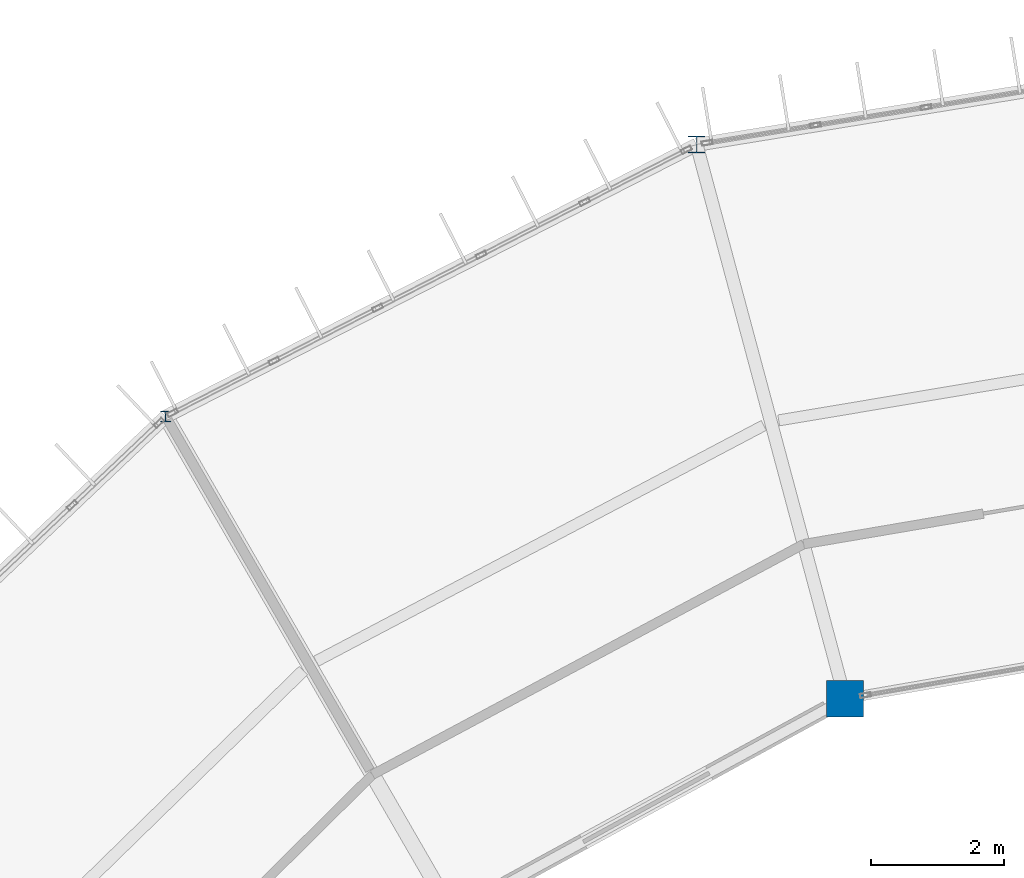
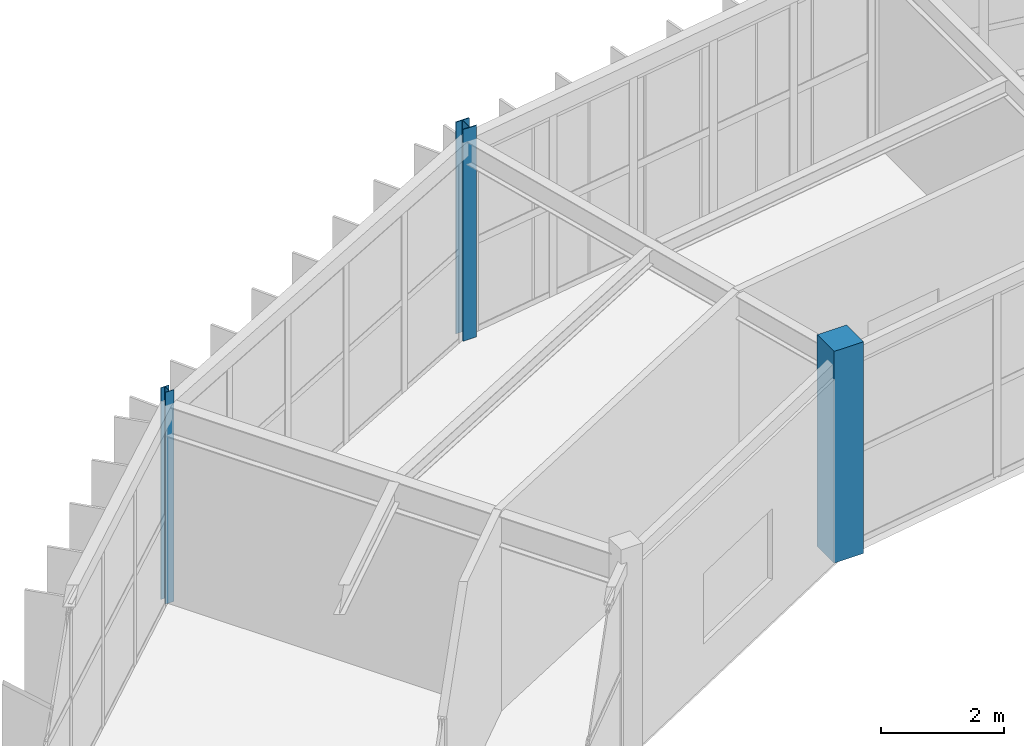
# One storey, part 12 of 134: 3 columns.
"""IFC4 building model written with IfcOpenShell, lengths in metres."""

import ifcopenshell
import ifcopenshell.guid

model = None  # the IFC model being written
_history = None  # IfcOwnerHistory: only IFC2X3 demands one
_inside = {}  # id of a spatial element -> (the spatial element, [elements in it])
_under = {}  # id of a project, library or spatial element -> (it, [spatial elements below it])
_declared = {}  # id of a project -> (the project, [libraries it declares])
_typed = {}  # id of a type object -> (the type object, [elements of that type])
_made_of = {}  # id of a material, layer set ... -> (it, [elements and type objects made of it])


def new_model(schema):
    """Start an empty IFC model of exactly this schema.

    Asked for "IFC4X3", IfcOpenShell would pick the latest addendum, in which some entities
    have other attributes; the version numbers below select the first issue.
    IFC2X3 requires an IfcOwnerHistory on every rooted entity: one is made here for all.
    """
    global model, _history
    if schema == "IFC4X3":
        model = ifcopenshell.file(schema_version=(4, 3, 0, 0))
    else:
        model = ifcopenshell.file(schema=schema)
    _inside.clear()
    _under.clear()
    _declared.clear()
    _typed.clear()
    _made_of.clear()
    _history = None
    if model.schema == "IFC2X3":
        org = make("IfcOrganization", Name="unknown")
        user = make(
            "IfcPersonAndOrganization",
            ThePerson=make("IfcPerson", FamilyName="unknown"),
            TheOrganization=org,
        )
        app = make(
            "IfcApplication",
            ApplicationDeveloper=org,
            Version="unknown",
            ApplicationFullName="unknown",
            ApplicationIdentifier="unknown",
        )
        _history = make(
            "IfcOwnerHistory",
            OwningUser=user,
            OwningApplication=app,
            ChangeAction="ADDED",
            CreationDate=0,
        )
    return model


def make(cls, **values):
    """One entity of the class cls with the attributes given. An attribute that is None is left unset."""
    return model.create_entity(
        cls, **{name: value for name, value in values.items() if value is not None}
    )


def rooted(cls, **values):
    """An entity with a GlobalId (a new one), such as an element, a storey or a relation."""
    return make(cls, GlobalId=ifcopenshell.guid.new(), OwnerHistory=_history, **values)


def si_unit(unit_type, name, prefix=None):
    """IfcSIUnit, for example si_unit("LENGTHUNIT", "METRE", prefix="MILLI")."""
    return make("IfcSIUnit", UnitType=unit_type, Prefix=prefix, Name=name)


def assignment(units):
    """IfcUnitAssignment: the units of a project."""
    return None if units is None else make("IfcUnitAssignment", Units=units)


def point(xyz):
    """IfcCartesianPoint."""
    return None if xyz is None else make("IfcCartesianPoint", Coordinates=xyz)


def direction(xyz):
    """IfcDirection."""
    return None if xyz is None else make("IfcDirection", DirectionRatios=xyz)


def frame(location, z_axis=None, x_axis=None):
    """IfcAxis2Placement3D, a coordinate frame: its origin and axes. An axis left out is left unset."""
    return make(
        "IfcAxis2Placement3D",
        Location=point(location),
        Axis=direction(z_axis),
        RefDirection=direction(x_axis),
    )


def frame_2d(location, x_axis=None):
    """IfcAxis2Placement2D, a coordinate frame in the plane: its origin and x axis."""
    return make(
        "IfcAxis2Placement2D", Location=point(location), RefDirection=direction(x_axis)
    )


def origin():
    """The frame at (0, 0, 0) with its axes left unset."""
    return frame((0.0, 0.0, 0.0))


def origin_2d():
    """The frame at (0, 0) in the plane with its x axis left unset."""
    return frame_2d((0.0, 0.0))


def place(relative_to, where):
    """IfcLocalPlacement: puts the frame where relative to a parent placement (None: the world)."""
    return make(
        "IfcLocalPlacement", PlacementRelTo=relative_to, RelativePlacement=where
    )


def context(
    kind, dimensions, precision=None, world=None, true_north=None, identifier=None
):
    """IfcGeometricRepresentationContext, for example the 3D "Model" context."""
    return make(
        "IfcGeometricRepresentationContext",
        ContextIdentifier=identifier,
        ContextType=kind,
        CoordinateSpaceDimension=dimensions,
        Precision=precision,
        WorldCoordinateSystem=world,
        TrueNorth=true_north,
    )


def subcontext(parent, identifier, kind, view, scale=None):
    """IfcGeometricRepresentationSubContext, for example "Body" below "Model"."""
    return make(
        "IfcGeometricRepresentationSubContext",
        ContextIdentifier=identifier,
        ContextType=kind,
        ParentContext=parent,
        TargetScale=scale,
        TargetView=view,
    )


def project(units=None, contexts=None):
    """IfcProject with its units and contexts."""
    return rooted(
        "IfcProject",
        Name="project",
        RepresentationContexts=contexts,
        UnitsInContext=assignment(units),
    )


def spatial(cls, under=None, at=None, **own):
    """A site, building, storey or space (cls), placed at a placement, below another one or the project."""
    s = rooted(cls, ObjectPlacement=at, **own)
    if under is not None:
        _under.setdefault(under.id(), (under, []))[1].append(s)
    return s


def profile(cls, at=None, kind="AREA", **sizes):
    """A parametric profile (cls). Its sizes go by their IFC names, for example OverallWidth=200.0."""
    return make(cls, ProfileType=kind, Position=at, **sizes)


def rectangle(**sizes):
    """IfcRectangleProfileDef."""
    return profile("IfcRectangleProfileDef", **sizes)


def i_section(**sizes):
    """IfcIShapeProfileDef."""
    return profile("IfcIShapeProfileDef", **sizes)


def extrude(swept, where, along, depth):
    """IfcExtrudedAreaSolid: the profile swept, set in the frame where, extruded along a direction by depth."""
    return make(
        "IfcExtrudedAreaSolid",
        SweptArea=swept,
        Position=where,
        ExtrudedDirection=direction(along),
        Depth=depth,
    )


def shape(context_of_items, identifier, shape_type, items):
    """IfcShapeRepresentation: the items that make up one representation, for example the "Body"."""
    return make(
        "IfcShapeRepresentation",
        ContextOfItems=context_of_items,
        RepresentationIdentifier=identifier,
        RepresentationType=shape_type,
        Items=items,
    )


def material(Name=None, Category=None):
    """IfcMaterial."""
    return make("IfcMaterial", Name=Name, Category=Category)


def material_profile(
    of_material, cross_section, Name=None, Category=None, Priority=None
):
    """IfcMaterialProfile: a cross section and its material."""
    return make(
        "IfcMaterialProfile",
        Name=Name,
        Material=of_material,
        Profile=cross_section,
        Priority=Priority,
        Category=Category,
    )


def profile_set(profiles, Name=None, composite=None):
    """IfcMaterialProfileSet."""
    return make(
        "IfcMaterialProfileSet",
        Name=Name,
        MaterialProfiles=profiles,
        CompositeProfile=composite,
    )


def made_of(thing, what):
    """Note that an element or type object is made of a material, layer set ...; save() writes the relation."""
    if what is not None:
        _made_of.setdefault(what.id(), (what, []))[1].append(thing)
    return thing


def type_object(cls, material=None, **own):
    """A type object (cls), such as IfcWallType, which elements share."""
    return made_of(rooted(cls, **own), material)


def element(
    cls,
    number,
    at=None,
    inside=None,
    cuts=None,
    type_object=None,
    material=None,
    context=None,
    identifier="Body",
    shape_type=None,
    held_by="IfcProductDefinitionShape",
    body=None,
    shapes=None,
    **own,
):
    """One element of the class cls, such as IfcWall. Its Tag is "e" and its number.

    at: its placement. inside: the storey or other place that contains it. cuts: it is an
    opening in that element (IfcRelVoidsElement). A single representation is given by context,
    identifier, shape_type and body (its items); several are given by shapes. held_by: the class
    of the entity that holds the representations. save() writes the other relations.
    """
    e = rooted(cls, Tag="e%d" % number, ObjectPlacement=at, **own)
    if body is not None:
        shapes = [shape(context, identifier, shape_type, body)]
    if shapes is not None:
        e.Representation = make(held_by, Representations=shapes)
    if inside is not None:
        _inside.setdefault(inside.id(), (inside, []))[1].append(e)
    if cuts is not None:
        rooted(
            "IfcRelVoidsElement", RelatingBuildingElement=cuts, RelatedOpeningElement=e
        )
    if type_object is not None:
        _typed.setdefault(type_object.id(), (type_object, []))[1].append(e)
    return made_of(e, material)


def aggregate(whole, parts):
    """IfcRelAggregates: a whole, such as a stair, and the parts it consists of."""
    return rooted("IfcRelAggregates", RelatingObject=whole, RelatedObjects=parts)


def save(model, path):
    """Write the relations noted so far, then the file.

    IfcRelAggregates (storeys below a building ...), IfcRelContainedInSpatialStructure (elements
    in a storey), IfcRelDefinesByType, IfcRelAssociatesMaterial and IfcRelDeclares: one each for
    every whole, place, type object, material and project.
    """
    for whole, parts in _under.values():
        aggregate(whole, parts)
    for where, things in _inside.values():
        rooted(
            "IfcRelContainedInSpatialStructure",
            RelatedElements=things,
            RelatingStructure=where,
        )
    for kind, things in _typed.values():
        rooted("IfcRelDefinesByType", RelatedObjects=things, RelatingType=kind)
    for what, things in _made_of.values():
        rooted("IfcRelAssociatesMaterial", RelatedObjects=things, RelatingMaterial=what)
    for by, libraries in _declared.values():
        rooted("IfcRelDeclares", RelatingContext=by, RelatedDefinitions=libraries)
    model.write(path)


model = new_model("IFC4")

# Units and contexts
model_context = context("Model", 3, precision=1e-05, world=origin(), true_north=direction((0.0, 1.0)))
body_context = subcontext(model_context, "Body", "Model", "MODEL_VIEW")
ifc_project = project(units=[si_unit("LENGTHUNIT", "METRE"), si_unit("AREAUNIT", "SQUARE_METRE"), si_unit("VOLUMEUNIT", "CUBIC_METRE"), si_unit("PLANEANGLEUNIT", "RADIAN"), si_unit("MASSUNIT", "GRAM", prefix="KILO")], contexts=[model_context])

# Site, building, storey
site_placement = place(None, origin())
site = spatial("IfcSite", under=ifc_project, at=site_placement, CompositionType="ELEMENT")
building_placement = place(site_placement, origin())
building = spatial("IfcBuilding", under=site, at=building_placement, Name="Karori Crest Natural Sciences Institute", CompositionType="ELEMENT")
storey_placement = place(building_placement, frame((0.0, 0.0, 21.699951171875)))
storey = spatial("IfcBuildingStorey", under=building, at=storey_placement, Name="L05", CompositionType="ELEMENT", Elevation=21.699951171875)

# Columns
ifc_material_1 = material(Name="Structural steel AS/NZS 3679.1 Grade 350", Category="steel")
ifc_material_profile_1 = material_profile(ifc_material_1, i_section(OverallWidth=0.25390625, OverallDepth=0.25390625, WebThickness=0.008544921875, FlangeThickness=0.01416015625, FilletRadius=0.013916015625, at=origin_2d()), Name="250UC72.9")
ifc_profile_set_1 = profile_set([ifc_material_profile_1], Name="Structural steel AS/NZS 3679.1 Grade 350")
column_type_1 = type_object("IfcColumnType", Name="CT-07", PredefinedType="COLUMN", material=ifc_profile_set_1)
column_1_placement = place(storey_placement, frame((57.85888671875, 89.309814453125, 0.0), z_axis=(0.0, 0.0, 1.0), x_axis=(1.0, 0.0, 0.0)))
element("IfcColumn", 1, at=column_1_placement, inside=storey, type_object=column_type_1, Name="Column C-0137", PredefinedType="COLUMN", context=body_context, shape_type="SweptSolid", body=[
    extrude(i_section(OverallWidth=0.25390625, OverallDepth=0.25390625, WebThickness=0.008544921875, FlangeThickness=0.01416015625, FilletRadius=0.013916015625, at=origin_2d()), origin(), (0.0, 0.0, 1.0), 4.199951171875),
])
ifc_material_profile_2 = material_profile(ifc_material_1, i_section(OverallWidth=0.154052734375, OverallDepth=0.162109375, WebThickness=0.008056640625, FlangeThickness=0.011474609375, FilletRadius=0.009033203125, at=origin_2d()), Name="150UC37.2")
ifc_profile_set_2 = profile_set([ifc_material_profile_2], Name="Structural steel AS/NZS 3679.1 Grade 350")
column_type_2 = type_object("IfcColumnType", Name="CT-26", PredefinedType="COLUMN", material=ifc_profile_set_2)
column_2_placement = place(storey_placement, frame((49.89990234375, 85.23388671875, 0.0), z_axis=(0.0, 0.0, 1.0), x_axis=(1.0, 0.0, 0.0)))
element("IfcColumn", 2, at=column_2_placement, inside=storey, type_object=column_type_2, Name="Column C-0153", PredefinedType="COLUMN", context=body_context, shape_type="SweptSolid", body=[
    extrude(i_section(OverallWidth=0.154052734375, OverallDepth=0.162109375, WebThickness=0.008056640625, FlangeThickness=0.011474609375, FilletRadius=0.009033203125, at=origin_2d()), origin(), (0.0, 0.0, 1.0), 4.199951171875),
])
ifc_material_2 = material(Name="Concrete 50 MPa", Category="concrete")
ifc_material_profile_3 = material_profile(ifc_material_2, rectangle(XDim=0.550048828125, YDim=0.550048828125, at=origin_2d()), Name="RC550x550")
ifc_profile_set_3 = profile_set([ifc_material_profile_3], Name="Concrete 50 MPa")
column_type_3 = type_object("IfcColumnType", Name="CT-30", PredefinedType="COLUMN", material=ifc_profile_set_3)
column_3_placement = place(storey_placement, frame((60.084716796875, 81.002685546875, 0.0), z_axis=(0.0, 0.0, 1.0), x_axis=(1.0, 0.0, 0.0)))
element("IfcColumn", 3, at=column_3_placement, inside=storey, type_object=column_type_3, Name="Column C-0138", PredefinedType="COLUMN", context=body_context, shape_type="SweptSolid", body=[
    extrude(rectangle(XDim=0.550048828125, YDim=0.550048828125, at=origin_2d()), origin(), (0.0, 0.0, 1.0), 4.199951171875),
])

save(model, "model.ifc")
